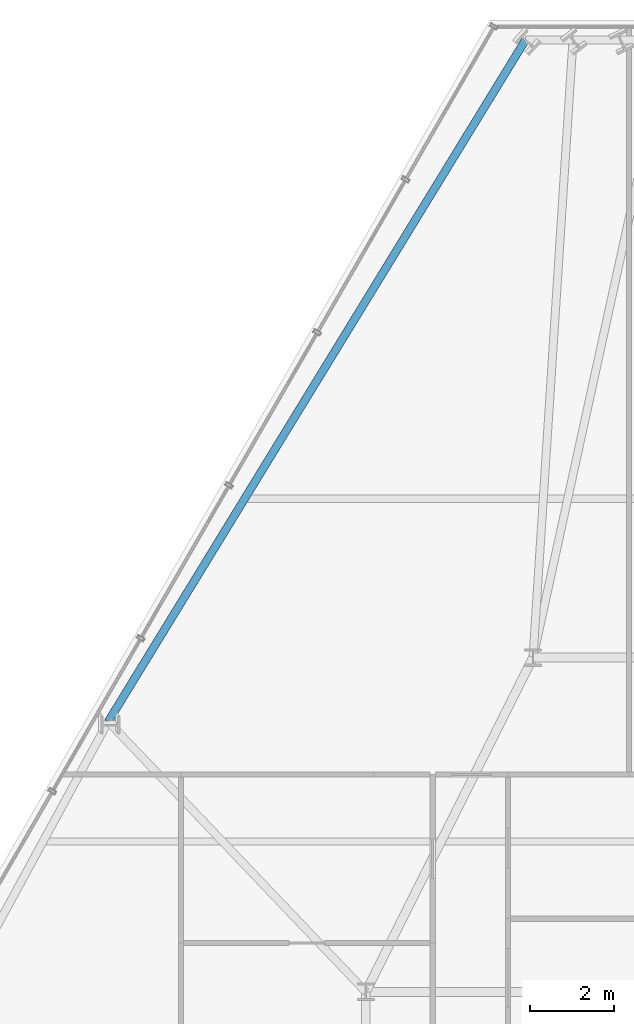
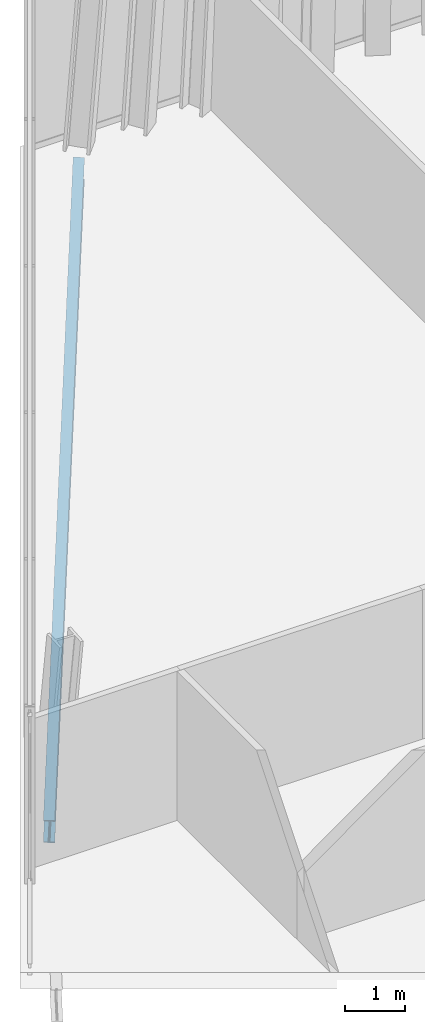
# One storey, part 20 of 33: 1 beam.
"""IFC4 building model written with IfcOpenShell, lengths in metres."""

from ifc_helpers import new_model, si_unit, direction, frame, origin, origin_2d, place, context, subcontext, project, spatial, i_section, extrude, material, material_profile, profile_set, type_object, element, save


model = new_model("IFC4")

# Units and contexts
model_context = context("Model", 3, precision=1e-05, world=origin(), true_north=direction((0.0, 1.0)))
body_context = subcontext(model_context, "Body", "Model", "MODEL_VIEW")
ifc_project = project(units=[si_unit("LENGTHUNIT", "METRE"), si_unit("AREAUNIT", "SQUARE_METRE"), si_unit("VOLUMEUNIT", "CUBIC_METRE"), si_unit("PLANEANGLEUNIT", "RADIAN"), si_unit("MASSUNIT", "GRAM", prefix="KILO")], contexts=[model_context])

# Site, building, storey
site_placement = place(None, origin())
site = spatial("IfcSite", under=ifc_project, at=site_placement, CompositionType="ELEMENT")
building_placement = place(site_placement, origin())
building = spatial("IfcBuilding", under=site, at=building_placement, Name="Ndaravel Arena Tower", CompositionType="ELEMENT")
storey_placement = place(building_placement, frame((0.0, 0.0, 187.800048828125)))
storey = spatial("IfcBuildingStorey", under=building, at=storey_placement, Name="L45", CompositionType="ELEMENT", Elevation=187.800048828125)

# Beam
ifc_material = material(Name="Steel S355", Category="steel")
ifc_material_profile = material_profile(ifc_material, i_section(OverallWidth=0.18994140625, OverallDepth=0.449951171875, WebThickness=0.009521484375, FlangeThickness=0.0146484375, FilletRadius=0.02099609375, at=origin_2d()), Name="IPE 450")
ifc_profile_set = profile_set([ifc_material_profile], Name="Steel S355")
beam_type = type_object("IfcBeamType", Name="BM-SPAN-IPE450", PredefinedType="SPANDREL", material=ifc_profile_set)
beam_placement = place(storey_placement, frame((38.019287109375, 45.97265625, -0.445068359375), z_axis=(-0.522125427863, -0.852868710634, 0.0), x_axis=(0.852868710634, -0.522125427863, 0.0)))
element("IfcBeam", 1, at=beam_placement, inside=storey, type_object=beam_type, Name="L45 Perimeter Spandrel Beam SP-18", PredefinedType="SPANDREL", context=body_context, shape_type="SweptSolid", body=[
    extrude(i_section(OverallWidth=0.18994140625, OverallDepth=0.449951171875, WebThickness=0.009521484375, FlangeThickness=0.0146484375, FilletRadius=0.02099609375, at=origin_2d()), origin(), (0.0, 0.0, 1.0), 19.119873046875),
])

save(model, "model.ifc")
